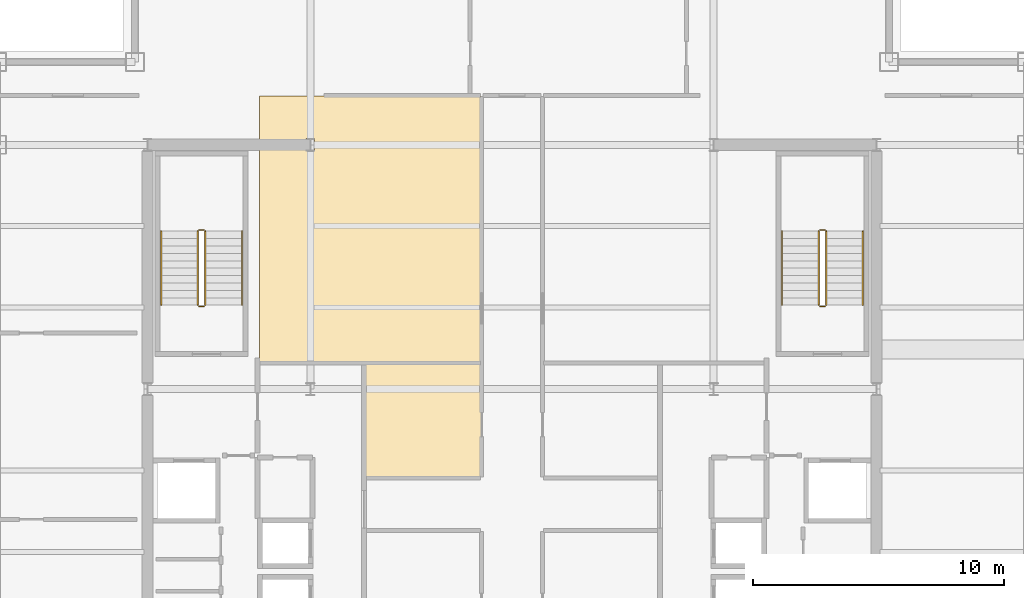
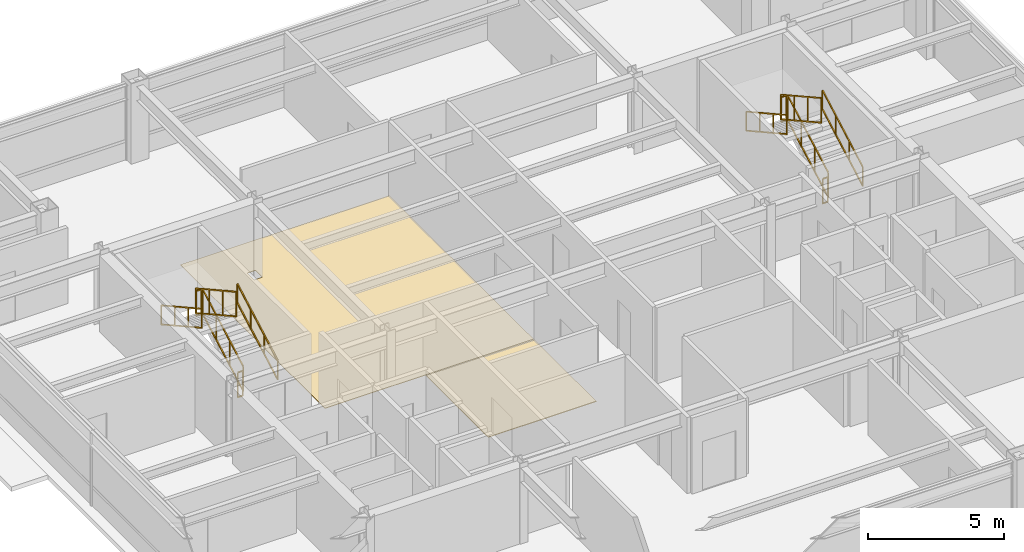
# One storey, part 26 of 26: 12 railings, 2 coverings.
"""IFC4 building model written with IfcOpenShell, lengths in metres."""

from ifc_helpers import new_model, si_unit, direction, frame, origin, origin_2d, place, context, subcontext, project, spatial, polyline, rectangle, outline, extrude, material, layer, layer_set, type_object, element, save


model = new_model("IFC4")

# Units and contexts
model_context = context("Model", 3, precision=1e-05, world=origin(), true_north=direction((0.0, 1.0)))
body_context = subcontext(model_context, "Body", "Model", "MODEL_VIEW")
ifc_project = project(units=[si_unit("LENGTHUNIT", "METRE"), si_unit("AREAUNIT", "SQUARE_METRE"), si_unit("VOLUMEUNIT", "CUBIC_METRE"), si_unit("PLANEANGLEUNIT", "RADIAN"), si_unit("MASSUNIT", "GRAM", prefix="KILO")], contexts=[model_context])

# Site, building, storey
site_placement = place(None, origin())
site = spatial("IfcSite", under=ifc_project, at=site_placement, CompositionType="ELEMENT")
building_placement = place(site_placement, origin())
building = spatial("IfcBuilding", under=site, at=building_placement, Name="Brelmoor Portico Tower", CompositionType="ELEMENT")
storey_placement = place(building_placement, frame((0.0, 0.0, 180.300048828125)))
storey = spatial("IfcBuildingStorey", under=building, at=storey_placement, Name="L47", CompositionType="ELEMENT", Elevation=180.300048828125)

# Coverings
ifc_material_1 = material(Name="Polished Pale-Aggregate Cementitious Terrazzo", Category="stone")
ifc_layer_1 = layer(ifc_material_1, 0.030029296875)
ifc_layer_set_1 = layer_set([ifc_layer_1], Name="Polished Pale-Aggregate Cementitious Terrazzo")
covering_type_1 = type_object("IfcCoveringType", Name="CV-FLR-TERRAZZO-30", PredefinedType="FLOORING", material=ifc_layer_set_1)
covering_1_placement = place(storey_placement, origin())
element("IfcCovering", 1, at=covering_1_placement, inside=storey, type_object=covering_type_1, Name="L47 Architectural Floor Finish 02", PredefinedType="FLOORING", context=body_context, shape_type="SweptSolid", body=[
    extrude(outline(polyline([(-5.820068359375, -3.510009765625), (-5.820068359375, 1.0400390625), (-1.239990234375, 1.0400390625), (-1.239990234375, -3.510009765625), (-5.820068359375, -3.510009765625)])), origin(), (0.0, 0.0, 1.0), 0.030029296875),
])
ifc_material_2 = material(Name="Engineered Quarter-Sawn Oak Parquet Flooring", Category="timber")
ifc_layer_2 = layer(ifc_material_2, 0.02197265625)
ifc_layer_set_2 = layer_set([ifc_layer_2], Name="Engineered Quarter-Sawn Oak Parquet Flooring")
covering_type_2 = type_object("IfcCoveringType", Name="CV-FLR-TIMBER-22", PredefinedType="FLOORING", material=ifc_layer_set_2)
covering_2_placement = place(storey_placement, origin())
element("IfcCovering", 2, at=covering_2_placement, inside=storey, type_object=covering_type_2, Name="L47 Architectural Floor Finish 01", PredefinedType="FLOORING", context=body_context, shape_type="SweptSolid", body=[
    extrude(outline(polyline([(-10.080078125, 11.68994140625), (-1.239990234375, 11.68994140625), (-1.239990234375, 1.090087890625), (-10.080078125, 1.090087890625), (-10.080078125, 11.68994140625)]), holes=[polyline([(-7.875, 9.5), (-7.875, 10.0), (-8.22509765625, 10.0), (-8.22509765625, 9.5), (-7.875, 9.5)])]), origin(), (0.0, 0.0, 1.0), 0.02197265625),
])

# Railings
ifc_material_3 = material(Name="Painted Tubular Steel Q235B", Category="steel")
railing_type_1 = type_object("IfcRailingType", Name="RL-STAIR-GUARD", PredefinedType="GUARDRAIL", material=ifc_material_3)
railing_1_placement = place(storey_placement, frame((-12.239990234375, 3.35009765625, 0.16357421875)))
element("IfcRailing", 3, at=railing_1_placement, inside=storey, type_object=railing_type_1, Name="L47 ST-W stair guard 1", PredefinedType="GUARDRAIL", context=body_context, shape_type="SweptSolid", body=[
    extrude(rectangle(XDim=0.048095703125, YDim=0.048095703125, at=origin_2d()), frame((0.0, 0.0, 1.1259765625), z_axis=(0.0, 0.874457516365, 0.485102104791), x_axis=(-1.0, 0.0, 0.0)), (0.0, 0.0, 1.0), 3.37353515625),
    extrude(rectangle(XDim=0.048095703125, YDim=0.048095703125, at=origin_2d()), frame((0.0, 0.0, 0.02392578125), z_axis=(0.0, 0.874457516365, 0.485102104791), x_axis=(-1.0, 0.0, 0.0)), (0.0, 0.0, 1.0), 3.37353515625),
    extrude(rectangle(XDim=0.0419921875, YDim=0.0419921875, at=origin_2d()), origin(), (0.0, 0.0, 1.0), 1.101806640625),
    extrude(rectangle(XDim=0.0419921875, YDim=0.0419921875, at=origin_2d()), frame((0.0, 0.9833984375, 0.54541015625)), (0.0, 0.0, 1.0), 1.101806640625),
    extrude(rectangle(XDim=0.0419921875, YDim=0.0419921875, at=origin_2d()), frame((0.0, 1.966552734375, 1.091064453125)), (0.0, 0.0, 1.0), 1.101806640625),
    extrude(rectangle(XDim=0.0419921875, YDim=0.0419921875, at=origin_2d()), frame((0.0, 2.949951171875, 1.636474609375)), (0.0, 0.0, 1.0), 1.101806640625),
])
railing_2_placement = place(storey_placement, frame((-12.2900390625, 6.35009765625, 1.800048828125)))
element("IfcRailing", 4, at=railing_2_placement, inside=storey, type_object=railing_type_1, Name="L47 ST-W stair guard 2", PredefinedType="GUARDRAIL", context=body_context, shape_type="SweptSolid", body=[
    extrude(rectangle(XDim=0.048095703125, YDim=0.048095703125, at=origin_2d()), frame((0.0, 0.0, 1.1259765625), z_axis=(-1.0, 0.0, 0.0), x_axis=(0.0, -1.0, 0.0)), (0.0, 0.0, 1.0), 0.199951171875),
    extrude(rectangle(XDim=0.048095703125, YDim=0.048095703125, at=origin_2d()), frame((0.0, 0.0, 0.02392578125), z_axis=(-1.0, 0.0, 0.0), x_axis=(0.0, -1.0, 0.0)), (0.0, 0.0, 1.0), 0.199951171875),
    extrude(rectangle(XDim=0.0419921875, YDim=0.0419921875, at=origin_2d()), origin(), (0.0, 0.0, 1.0), 1.101806640625),
    extrude(rectangle(XDim=0.0419921875, YDim=0.0419921875, at=origin_2d()), frame((-0.199951171875, 0.0, 0.0)), (0.0, 0.0, 1.0), 1.101806640625),
])
railing_3_placement = place(storey_placement, frame((-12.5400390625, 6.300048828125, 1.963623046875)))
element("IfcRailing", 5, at=railing_3_placement, inside=storey, type_object=railing_type_1, Name="L47 ST-W stair guard 3", PredefinedType="GUARDRAIL", context=body_context, shape_type="SweptSolid", body=[
    extrude(rectangle(XDim=0.048095703125, YDim=0.048095703125, at=origin_2d()), frame((0.0, 0.0, 1.1259765625), z_axis=(0.0, -0.87448821551, 0.485046761595), x_axis=(1.0, 0.0, 0.0)), (0.0, 0.0, 1.0), 3.373291015625),
    extrude(rectangle(XDim=0.048095703125, YDim=0.048095703125, at=origin_2d()), frame((0.0, 0.0, 0.02392578125), z_axis=(0.0, -0.87448821551, 0.485046761595), x_axis=(1.0, 0.0, 0.0)), (0.0, 0.0, 1.0), 3.373291015625),
    extrude(rectangle(XDim=0.0419921875, YDim=0.0419921875, at=origin_2d()), origin(), (0.0, 0.0, 1.0), 1.101806640625),
    extrude(rectangle(XDim=0.0419921875, YDim=0.0419921875, at=origin_2d()), frame((0.0, -0.9833984375, 0.54541015625)), (0.0, 0.0, 1.0), 1.101806640625),
    extrude(rectangle(XDim=0.0419921875, YDim=0.0419921875, at=origin_2d()), frame((0.0, -1.966552734375, 1.0908203125)), (0.0, 0.0, 1.0), 1.101806640625),
    extrude(rectangle(XDim=0.0419921875, YDim=0.0419921875, at=origin_2d()), frame((0.0, -2.949951171875, 1.63623046875)), (0.0, 0.0, 1.0), 1.101806640625),
])
railing_4_placement = place(storey_placement, frame((-12.2900390625, 3.300048828125, 0.0)))
element("IfcRailing", 6, at=railing_4_placement, inside=storey, type_object=railing_type_1, Name="L47 ST-W stair guard 4", PredefinedType="GUARDRAIL", context=body_context, shape_type="SweptSolid", body=[
    extrude(rectangle(XDim=0.048095703125, YDim=0.048095703125, at=origin_2d()), frame((0.0, 0.0, 1.1259765625), z_axis=(-1.0, 0.0, 0.0), x_axis=(0.0, -1.0, 0.0)), (0.0, 0.0, 1.0), 0.199951171875),
    extrude(rectangle(XDim=0.048095703125, YDim=0.048095703125, at=origin_2d()), frame((0.0, 0.0, 0.02392578125), z_axis=(-1.0, 0.0, 0.0), x_axis=(0.0, -1.0, 0.0)), (0.0, 0.0, 1.0), 0.199951171875),
    extrude(rectangle(XDim=0.0419921875, YDim=0.0419921875, at=origin_2d()), origin(), (0.0, 0.0, 1.0), 1.101806640625),
    extrude(rectangle(XDim=0.0419921875, YDim=0.0419921875, at=origin_2d()), frame((-0.199951171875, 0.0, 0.0)), (0.0, 0.0, 1.0), 1.101806640625),
])
railing_5_placement = place(storey_placement, frame((12.5400390625, 3.35009765625, 0.16357421875)))
element("IfcRailing", 7, at=railing_5_placement, inside=storey, type_object=railing_type_1, Name="L47 ST-E stair guard 1", PredefinedType="GUARDRAIL", context=body_context, shape_type="SweptSolid", body=[
    extrude(rectangle(XDim=0.048095703125, YDim=0.048095703125, at=origin_2d()), frame((0.0, 0.0, 1.1259765625), z_axis=(0.0, 0.874457516365, 0.485102104791), x_axis=(-1.0, 0.0, 0.0)), (0.0, 0.0, 1.0), 3.37353515625),
    extrude(rectangle(XDim=0.048095703125, YDim=0.048095703125, at=origin_2d()), frame((0.0, 0.0, 0.02392578125), z_axis=(0.0, 0.874457516365, 0.485102104791), x_axis=(-1.0, 0.0, 0.0)), (0.0, 0.0, 1.0), 3.37353515625),
    extrude(rectangle(XDim=0.0419921875, YDim=0.0419921875, at=origin_2d()), origin(), (0.0, 0.0, 1.0), 1.101806640625),
    extrude(rectangle(XDim=0.0419921875, YDim=0.0419921875, at=origin_2d()), frame((0.0, 0.9833984375, 0.54541015625)), (0.0, 0.0, 1.0), 1.101806640625),
    extrude(rectangle(XDim=0.0419921875, YDim=0.0419921875, at=origin_2d()), frame((0.0, 1.966552734375, 1.091064453125)), (0.0, 0.0, 1.0), 1.101806640625),
    extrude(rectangle(XDim=0.0419921875, YDim=0.0419921875, at=origin_2d()), frame((0.0, 2.949951171875, 1.636474609375)), (0.0, 0.0, 1.0), 1.101806640625),
])
railing_6_placement = place(storey_placement, frame((12.489990234375, 6.35009765625, 1.800048828125)))
element("IfcRailing", 8, at=railing_6_placement, inside=storey, type_object=railing_type_1, Name="L47 ST-E stair guard 2", PredefinedType="GUARDRAIL", context=body_context, shape_type="SweptSolid", body=[
    extrude(rectangle(XDim=0.048095703125, YDim=0.048095703125, at=origin_2d()), frame((0.0, 0.0, 1.1259765625), z_axis=(-1.0, 0.0, 0.0), x_axis=(0.0, -1.0, 0.0)), (0.0, 0.0, 1.0), 0.199951171875),
    extrude(rectangle(XDim=0.048095703125, YDim=0.048095703125, at=origin_2d()), frame((0.0, 0.0, 0.02392578125), z_axis=(-1.0, 0.0, 0.0), x_axis=(0.0, -1.0, 0.0)), (0.0, 0.0, 1.0), 0.199951171875),
    extrude(rectangle(XDim=0.0419921875, YDim=0.0419921875, at=origin_2d()), origin(), (0.0, 0.0, 1.0), 1.101806640625),
    extrude(rectangle(XDim=0.0419921875, YDim=0.0419921875, at=origin_2d()), frame((-0.199951171875, 0.0, 0.0)), (0.0, 0.0, 1.0), 1.101806640625),
])
railing_7_placement = place(storey_placement, frame((12.239990234375, 6.300048828125, 1.963623046875)))
element("IfcRailing", 9, at=railing_7_placement, inside=storey, type_object=railing_type_1, Name="L47 ST-E stair guard 3", PredefinedType="GUARDRAIL", context=body_context, shape_type="SweptSolid", body=[
    extrude(rectangle(XDim=0.048095703125, YDim=0.048095703125, at=origin_2d()), frame((0.0, 0.0, 1.1259765625), z_axis=(0.0, -0.87448821551, 0.485046761595), x_axis=(1.0, 0.0, 0.0)), (0.0, 0.0, 1.0), 3.373291015625),
    extrude(rectangle(XDim=0.048095703125, YDim=0.048095703125, at=origin_2d()), frame((0.0, 0.0, 0.02392578125), z_axis=(0.0, -0.87448821551, 0.485046761595), x_axis=(1.0, 0.0, 0.0)), (0.0, 0.0, 1.0), 3.373291015625),
    extrude(rectangle(XDim=0.0419921875, YDim=0.0419921875, at=origin_2d()), origin(), (0.0, 0.0, 1.0), 1.101806640625),
    extrude(rectangle(XDim=0.0419921875, YDim=0.0419921875, at=origin_2d()), frame((0.0, -0.9833984375, 0.54541015625)), (0.0, 0.0, 1.0), 1.101806640625),
    extrude(rectangle(XDim=0.0419921875, YDim=0.0419921875, at=origin_2d()), frame((0.0, -1.966552734375, 1.0908203125)), (0.0, 0.0, 1.0), 1.101806640625),
    extrude(rectangle(XDim=0.0419921875, YDim=0.0419921875, at=origin_2d()), frame((0.0, -2.949951171875, 1.63623046875)), (0.0, 0.0, 1.0), 1.101806640625),
])
railing_8_placement = place(storey_placement, frame((12.489990234375, 3.300048828125, 0.0)))
element("IfcRailing", 10, at=railing_8_placement, inside=storey, type_object=railing_type_1, Name="L47 ST-E stair guard 4", PredefinedType="GUARDRAIL", context=body_context, shape_type="SweptSolid", body=[
    extrude(rectangle(XDim=0.048095703125, YDim=0.048095703125, at=origin_2d()), frame((0.0, 0.0, 1.1259765625), z_axis=(-1.0, 0.0, 0.0), x_axis=(0.0, -1.0, 0.0)), (0.0, 0.0, 1.0), 0.199951171875),
    extrude(rectangle(XDim=0.048095703125, YDim=0.048095703125, at=origin_2d()), frame((0.0, 0.0, 0.02392578125), z_axis=(-1.0, 0.0, 0.0), x_axis=(0.0, -1.0, 0.0)), (0.0, 0.0, 1.0), 0.199951171875),
    extrude(rectangle(XDim=0.0419921875, YDim=0.0419921875, at=origin_2d()), origin(), (0.0, 0.0, 1.0), 1.101806640625),
    extrude(rectangle(XDim=0.0419921875, YDim=0.0419921875, at=origin_2d()), frame((-0.199951171875, 0.0, 0.0)), (0.0, 0.0, 1.0), 1.101806640625),
])
ifc_material_4 = material(Name="Brushed Stainless Steel 304", Category="steel")
railing_type_2 = type_object("IfcRailingType", Name="RL-STAIR-HANDRAIL", PredefinedType="HANDRAIL", material=ifc_material_4)
railing_9_placement = place(storey_placement, frame((-10.780029296875, 3.35009765625, 0.16357421875)))
element("IfcRailing", 11, at=railing_9_placement, inside=storey, type_object=railing_type_2, Name="L47 ST-W stair handrail 1", PredefinedType="HANDRAIL", context=body_context, shape_type="SweptSolid", body=[
    extrude(rectangle(XDim=0.048095703125, YDim=0.048095703125, at=origin_2d()), frame((0.0, 0.0, 0.8759765625), z_axis=(0.0, 0.874457516365, 0.485102104791), x_axis=(-1.0, 0.0, 0.0)), (0.0, 0.0, 1.0), 3.37353515625),
    extrude(rectangle(XDim=0.048095703125, YDim=0.048095703125, at=origin_2d()), frame((0.0, 0.0, 0.02392578125), z_axis=(0.0, 0.874457516365, 0.485102104791), x_axis=(-1.0, 0.0, 0.0)), (0.0, 0.0, 1.0), 3.37353515625),
    extrude(rectangle(XDim=0.0419921875, YDim=0.0419921875, at=origin_2d()), origin(), (0.0, 0.0, 1.0), 0.851806640625),
    extrude(rectangle(XDim=0.0419921875, YDim=0.0419921875, at=origin_2d()), frame((0.0, 0.9833984375, 0.54541015625)), (0.0, 0.0, 1.0), 0.851806640625),
    extrude(rectangle(XDim=0.0419921875, YDim=0.0419921875, at=origin_2d()), frame((0.0, 1.966552734375, 1.091064453125)), (0.0, 0.0, 1.0), 0.851806640625),
    extrude(rectangle(XDim=0.0419921875, YDim=0.0419921875, at=origin_2d()), frame((0.0, 2.949951171875, 1.636474609375)), (0.0, 0.0, 1.0), 0.851806640625),
])
railing_10_placement = place(storey_placement, frame((-14.0, 6.300048828125, 1.963623046875)))
element("IfcRailing", 12, at=railing_10_placement, inside=storey, type_object=railing_type_2, Name="L47 ST-W stair handrail 2", PredefinedType="HANDRAIL", context=body_context, shape_type="SweptSolid", body=[
    extrude(rectangle(XDim=0.048095703125, YDim=0.048095703125, at=origin_2d()), frame((0.0, 0.0, 0.8759765625), z_axis=(0.0, -0.87448821551, 0.485046761595), x_axis=(1.0, 0.0, 0.0)), (0.0, 0.0, 1.0), 3.373291015625),
    extrude(rectangle(XDim=0.048095703125, YDim=0.048095703125, at=origin_2d()), frame((0.0, 0.0, 0.02392578125), z_axis=(0.0, -0.87448821551, 0.485046761595), x_axis=(1.0, 0.0, 0.0)), (0.0, 0.0, 1.0), 3.373291015625),
    extrude(rectangle(XDim=0.0419921875, YDim=0.0419921875, at=origin_2d()), origin(), (0.0, 0.0, 1.0), 0.851806640625),
    extrude(rectangle(XDim=0.0419921875, YDim=0.0419921875, at=origin_2d()), frame((0.0, -0.9833984375, 0.54541015625)), (0.0, 0.0, 1.0), 0.851806640625),
    extrude(rectangle(XDim=0.0419921875, YDim=0.0419921875, at=origin_2d()), frame((0.0, -1.966552734375, 1.0908203125)), (0.0, 0.0, 1.0), 0.851806640625),
    extrude(rectangle(XDim=0.0419921875, YDim=0.0419921875, at=origin_2d()), frame((0.0, -2.949951171875, 1.63623046875)), (0.0, 0.0, 1.0), 0.851806640625),
])
railing_11_placement = place(storey_placement, frame((14.0, 3.35009765625, 0.16357421875)))
element("IfcRailing", 13, at=railing_11_placement, inside=storey, type_object=railing_type_2, Name="L47 ST-E stair handrail 1", PredefinedType="HANDRAIL", context=body_context, shape_type="SweptSolid", body=[
    extrude(rectangle(XDim=0.048095703125, YDim=0.048095703125, at=origin_2d()), frame((0.0, 0.0, 0.8759765625), z_axis=(0.0, 0.874457516365, 0.485102104791), x_axis=(-1.0, 0.0, 0.0)), (0.0, 0.0, 1.0), 3.37353515625),
    extrude(rectangle(XDim=0.048095703125, YDim=0.048095703125, at=origin_2d()), frame((0.0, 0.0, 0.02392578125), z_axis=(0.0, 0.874457516365, 0.485102104791), x_axis=(-1.0, 0.0, 0.0)), (0.0, 0.0, 1.0), 3.37353515625),
    extrude(rectangle(XDim=0.0419921875, YDim=0.0419921875, at=origin_2d()), origin(), (0.0, 0.0, 1.0), 0.851806640625),
    extrude(rectangle(XDim=0.0419921875, YDim=0.0419921875, at=origin_2d()), frame((0.0, 0.9833984375, 0.54541015625)), (0.0, 0.0, 1.0), 0.851806640625),
    extrude(rectangle(XDim=0.0419921875, YDim=0.0419921875, at=origin_2d()), frame((0.0, 1.966552734375, 1.091064453125)), (0.0, 0.0, 1.0), 0.851806640625),
    extrude(rectangle(XDim=0.0419921875, YDim=0.0419921875, at=origin_2d()), frame((0.0, 2.949951171875, 1.636474609375)), (0.0, 0.0, 1.0), 0.851806640625),
])
railing_12_placement = place(storey_placement, frame((10.780029296875, 6.300048828125, 1.963623046875)))
element("IfcRailing", 14, at=railing_12_placement, inside=storey, type_object=railing_type_2, Name="L47 ST-E stair handrail 2", PredefinedType="HANDRAIL", context=body_context, shape_type="SweptSolid", body=[
    extrude(rectangle(XDim=0.048095703125, YDim=0.048095703125, at=origin_2d()), frame((0.0, 0.0, 0.8759765625), z_axis=(0.0, -0.87448821551, 0.485046761595), x_axis=(1.0, 0.0, 0.0)), (0.0, 0.0, 1.0), 3.373291015625),
    extrude(rectangle(XDim=0.048095703125, YDim=0.048095703125, at=origin_2d()), frame((0.0, 0.0, 0.02392578125), z_axis=(0.0, -0.87448821551, 0.485046761595), x_axis=(1.0, 0.0, 0.0)), (0.0, 0.0, 1.0), 3.373291015625),
    extrude(rectangle(XDim=0.0419921875, YDim=0.0419921875, at=origin_2d()), origin(), (0.0, 0.0, 1.0), 0.851806640625),
    extrude(rectangle(XDim=0.0419921875, YDim=0.0419921875, at=origin_2d()), frame((0.0, -0.9833984375, 0.54541015625)), (0.0, 0.0, 1.0), 0.851806640625),
    extrude(rectangle(XDim=0.0419921875, YDim=0.0419921875, at=origin_2d()), frame((0.0, -1.966552734375, 1.0908203125)), (0.0, 0.0, 1.0), 0.851806640625),
    extrude(rectangle(XDim=0.0419921875, YDim=0.0419921875, at=origin_2d()), frame((0.0, -2.949951171875, 1.63623046875)), (0.0, 0.0, 1.0), 0.851806640625),
])

save(model, "model.ifc")
